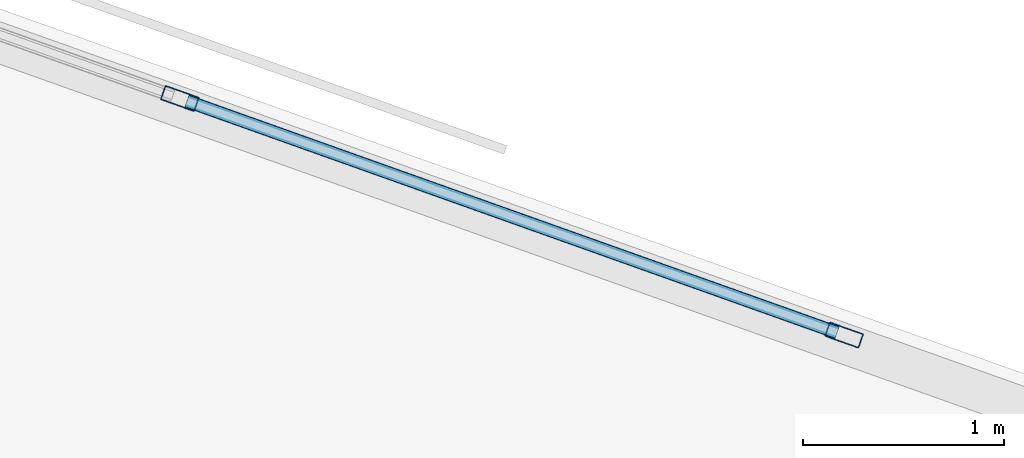
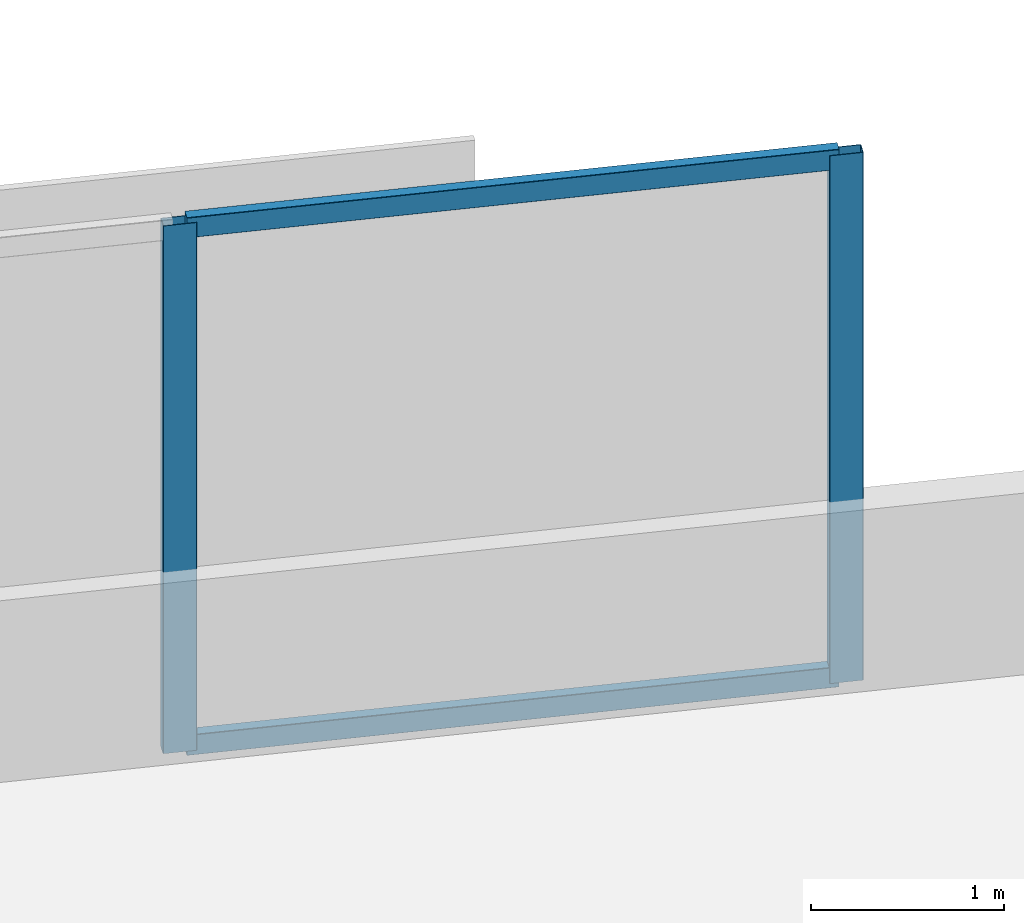
# One storey, part 2 of 15: 4 members, 1 element without a shape of its own.
"""IFC4 building model written with IfcOpenShell, lengths in metres."""

from ifc_helpers import new_model, si_unit, direction, frame, origin, origin_2d, place, context, subcontext, project, spatial, hollow_rectangle, extrude, material, material_profile, profile_set, type_object, element, aggregate, save


model = new_model("IFC4")

# Units and contexts
model_context = context("Model", 3, precision=1e-05, world=origin(), true_north=direction((0.0, 1.0)))
body_context = subcontext(model_context, "Body", "Model", "MODEL_VIEW")
ifc_project = project(units=[si_unit("LENGTHUNIT", "METRE"), si_unit("AREAUNIT", "SQUARE_METRE"), si_unit("VOLUMEUNIT", "CUBIC_METRE"), si_unit("PLANEANGLEUNIT", "RADIAN"), si_unit("MASSUNIT", "GRAM", prefix="KILO")], contexts=[model_context])

# Site, building, storey
site_placement = place(None, origin())
site = spatial("IfcSite", under=ifc_project, at=site_placement, CompositionType="ELEMENT")
building_placement = place(site_placement, origin())
building = spatial("IfcBuilding", under=site, at=building_placement, Name="Narakoshi Arena Tower", CompositionType="ELEMENT")
storey_placement = place(building_placement, frame((0.0, 0.0, 157.5)))
storey = spatial("IfcBuildingStorey", under=building, at=storey_placement, Name="L42", CompositionType="ELEMENT", Elevation=157.5)

# Curtain wall, members
ifc_material = material(Name="Anodised bronze aluminium 6063-T6", Category="aluminium")
curtain_wall_type = type_object("IfcCurtainWallType", Name="CW-HYP-MID", PredefinedType="NOTDEFINED", material=ifc_material)
curtain_wall_placement = place(storey_placement, origin())
curtain_wall = element("IfcCurtainWall", 1, at=curtain_wall_placement, inside=storey, type_object=curtain_wall_type, Name="L42 Folded Hypotenuse Curtain Wall 2-1", PredefinedType="NOTDEFINED")
ifc_material_profile_1 = material_profile(ifc_material, hollow_rectangle(XDim=0.074951171875, YDim=0.179931640625, WallThickness=0.00390625, OuterFilletRadius=0.0048828125, at=origin_2d()), Name="MUL180x75x4")
ifc_profile_set_1 = profile_set([ifc_material_profile_1], Name="Anodised bronze aluminium 6063-T6")
member_type_1 = type_object("IfcMemberType", Name="MEM-MUL-180", PredefinedType="MULLION", material=ifc_profile_set_1)
member_1_placement = place(storey_placement, frame((87.77978515625, 62.73876953125, 0.0), z_axis=(0.0, 0.0, 1.0), x_axis=(-0.335518297139, -0.94203368957, 0.0)))
member_1 = element("IfcMember", 2, at=member_1_placement, type_object=member_type_1, Name="CW-02 mullion 1", PredefinedType="MULLION", context=body_context, shape_type="SweptSolid", body=[
    extrude(hollow_rectangle(XDim=0.074951171875, YDim=0.179931640625, WallThickness=0.00390625, OuterFilletRadius=0.0048828125, at=origin_2d()), origin(), (0.0, 0.0, 1.0), 3.340087890625),
])
member_2_placement = place(storey_placement, frame((84.470458984375, 63.917236328125, 0.0), z_axis=(0.0, 0.0, 1.0), x_axis=(-0.335518297139, -0.94203368957, 0.0)))
member_2 = element("IfcMember", 3, at=member_2_placement, type_object=member_type_1, Name="CW-02 mullion 2", PredefinedType="MULLION", context=body_context, shape_type="SweptSolid", body=[
    extrude(hollow_rectangle(XDim=0.074951171875, YDim=0.179931640625, WallThickness=0.00390625, OuterFilletRadius=0.0048828125, at=origin_2d()), origin(), (0.0, 0.0, 1.0), 3.340087890625),
])
ifc_material_profile_2 = material_profile(ifc_material, hollow_rectangle(XDim=0.06494140625, YDim=0.1298828125, WallThickness=0.00390625, OuterFilletRadius=0.0048828125, at=origin_2d()), Name="TRN130x65x4")
ifc_profile_set_2 = profile_set([ifc_material_profile_2], Name="Anodised bronze aluminium 6063-T6")
member_type_2 = type_object("IfcMemberType", Name="MEM-TRN-130", PredefinedType="USERDEFINED", material=ifc_profile_set_2)
member_3_placement = place(storey_placement, frame((87.744384765625, 62.751220703125, 0.032470703125), z_axis=(-0.942022753127, 0.335549001773, 0.0), x_axis=(-0.335549001773, -0.942022753127, 0.0)))
member_3 = element("IfcMember", 4, at=member_3_placement, type_object=member_type_2, Name="CW-02 transom 1.1", ObjectType="TRANSOM", PredefinedType="USERDEFINED", context=body_context, shape_type="SweptSolid", body=[
    extrude(hollow_rectangle(XDim=0.06494140625, YDim=0.1298828125, WallThickness=0.00390625, OuterFilletRadius=0.0048828125, at=origin_2d()), origin(), (0.0, 0.0, 1.0), 3.437744140625),
])
member_4_placement = place(storey_placement, frame((87.744384765625, 62.751220703125, 3.3076171875), z_axis=(-0.942022753127, 0.335549001773, 0.0), x_axis=(-0.335549001773, -0.942022753127, 0.0)))
member_4 = element("IfcMember", 5, at=member_4_placement, type_object=member_type_2, Name="CW-02 transom 1.2", ObjectType="TRANSOM", PredefinedType="USERDEFINED", context=body_context, shape_type="SweptSolid", body=[
    extrude(hollow_rectangle(XDim=0.06494140625, YDim=0.1298828125, WallThickness=0.00390625, OuterFilletRadius=0.0048828125, at=origin_2d()), origin(), (0.0, 0.0, 1.0), 3.437744140625),
])
aggregate(curtain_wall, [member_1, member_2, member_3, member_4])

save(model, "model.ifc")
